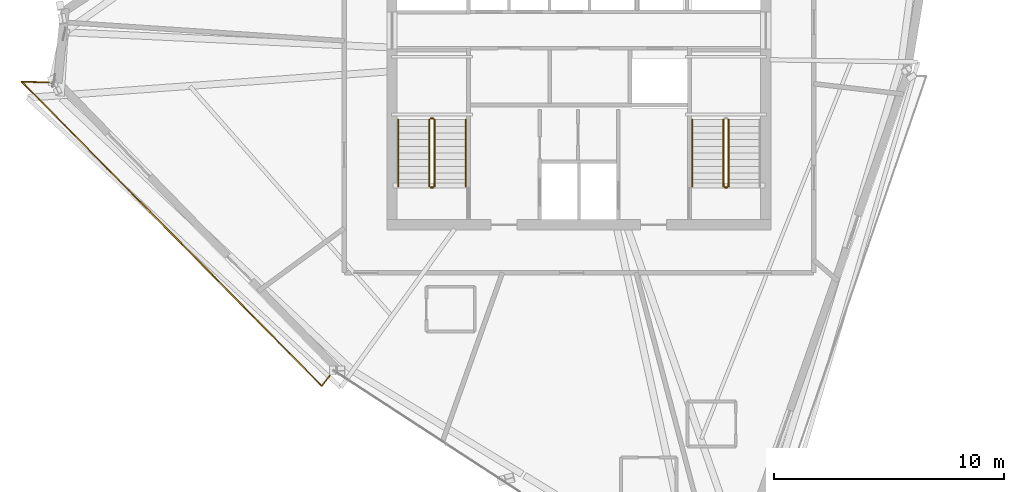
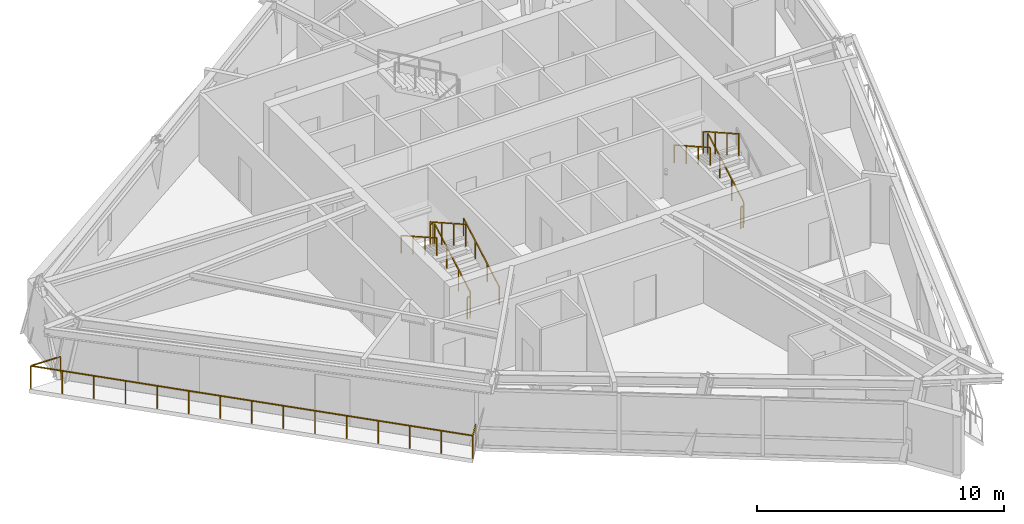
# One storey, part 12 of 14: 11 railings.
"""IFC4 building model written with IfcOpenShell, lengths in metres."""

from ifc_helpers import new_model, si_unit, direction, frame, origin, origin_2d, place, context, subcontext, project, spatial, rectangle, extrude, material, type_object, element, save


model = new_model("IFC4")

# Units and contexts
model_context = context("Model", 3, precision=1e-05, world=origin(), true_north=direction((0.0, 1.0)))
body_context = subcontext(model_context, "Body", "Model", "MODEL_VIEW")
ifc_project = project(units=[si_unit("LENGTHUNIT", "METRE"), si_unit("AREAUNIT", "SQUARE_METRE"), si_unit("VOLUMEUNIT", "CUBIC_METRE"), si_unit("PLANEANGLEUNIT", "RADIAN"), si_unit("MASSUNIT", "GRAM", prefix="KILO")], contexts=[model_context])

# Site, building, storey
site_placement = place(None, origin())
site = spatial("IfcSite", under=ifc_project, at=site_placement, CompositionType="ELEMENT")
building_placement = place(site_placement, origin())
building = spatial("IfcBuilding", under=site, at=building_placement, Name="Olszyna Solenne Hotel", CompositionType="ELEMENT")
storey_placement = place(building_placement, frame((0.0, 0.0, 252.5)))
storey = spatial("IfcBuildingStorey", under=building, at=storey_placement, Name="L67", CompositionType="ELEMENT", Elevation=252.5)

# Railings
ifc_material_1 = material(Name="Anodised bronze aluminium", Category="aluminium")
railing_type_1 = type_object("IfcRailingType", Name="GR-110", PredefinedType="BALUSTRADE", material=ifc_material_1)
railing_1_placement = place(storey_placement, frame((15.15380859375, 25.46240234375, 0.0)))
element("IfcRailing", 1, at=railing_1_placement, inside=storey, type_object=railing_type_1, Name="Loggia balcony balustrade guard GR-L67-LG2", PredefinedType="BALUSTRADE", context=body_context, shape_type="SweptSolid", body=[
    extrude(rectangle(XDim=0.048095703125, YDim=0.048095703125, at=origin_2d()), frame((0.0, 0.0, 1.1259765625), z_axis=(-0.999593817214, 0.028499133092, 0.0), x_axis=(-0.028499133092, -0.999593817214, 0.0)), (0.0, 0.0, 1.0), 1.379150390625),
    extrude(rectangle(XDim=0.048095703125, YDim=0.048095703125, at=origin_2d()), frame((-1.378662109375, 0.039306640625, 1.1259765625), z_axis=(0.702189124274, -0.711990473076, 0.0), x_axis=(0.711990473076, 0.702189124274, 0.0)), (0.0, 0.0, 1.0), 18.58203125),
    extrude(rectangle(XDim=0.048095703125, YDim=0.048095703125, at=origin_2d()), frame((11.66943359375, -13.19091796875, 1.1259765625), z_axis=(0.612440929473, 0.790516355243, 0.0), x_axis=(-0.790516355243, 0.612440929473, 0.0)), (0.0, 0.0, 1.0), 0.845947265625),
    extrude(rectangle(XDim=0.0419921875, YDim=0.0419921875, at=origin_2d()), origin(), (0.0, 0.0, 1.0), 1.101806640625),
    extrude(rectangle(XDim=0.0419921875, YDim=0.0419921875, at=origin_2d()), frame((-1.378662109375, 0.039306640625, 0.0)), (0.0, 0.0, 1.0), 1.101806640625),
    extrude(rectangle(XDim=0.0419921875, YDim=0.0419921875, at=origin_2d()), frame((-0.44677734375, -0.90576171875, 0.0)), (0.0, 0.0, 1.0), 1.101806640625),
    extrude(rectangle(XDim=0.0419921875, YDim=0.0419921875, at=origin_2d()), frame((0.4853515625, -1.850830078125, 0.0)), (0.0, 0.0, 1.0), 1.101806640625),
    extrude(rectangle(XDim=0.0419921875, YDim=0.0419921875, at=origin_2d()), frame((1.41748046875, -2.795654296875, 0.0)), (0.0, 0.0, 1.0), 1.101806640625),
    extrude(rectangle(XDim=0.0419921875, YDim=0.0419921875, at=origin_2d()), frame((2.349365234375, -3.74072265625, 0.0)), (0.0, 0.0, 1.0), 1.101806640625),
    extrude(rectangle(XDim=0.0419921875, YDim=0.0419921875, at=origin_2d()), frame((3.28125, -4.685791015625, 0.0)), (0.0, 0.0, 1.0), 1.101806640625),
    extrude(rectangle(XDim=0.0419921875, YDim=0.0419921875, at=origin_2d()), frame((4.21337890625, -5.630859375, 0.0)), (0.0, 0.0, 1.0), 1.101806640625),
    extrude(rectangle(XDim=0.0419921875, YDim=0.0419921875, at=origin_2d()), frame((5.1455078125, -6.57568359375, 0.0)), (0.0, 0.0, 1.0), 1.101806640625),
    extrude(rectangle(XDim=0.0419921875, YDim=0.0419921875, at=origin_2d()), frame((6.077392578125, -7.520751953125, 0.0)), (0.0, 0.0, 1.0), 1.101806640625),
    extrude(rectangle(XDim=0.0419921875, YDim=0.0419921875, at=origin_2d()), frame((7.00927734375, -8.4658203125, 0.0)), (0.0, 0.0, 1.0), 1.101806640625),
    extrude(rectangle(XDim=0.0419921875, YDim=0.0419921875, at=origin_2d()), frame((7.94140625, -9.410888671875, 0.0)), (0.0, 0.0, 1.0), 1.101806640625),
    extrude(rectangle(XDim=0.0419921875, YDim=0.0419921875, at=origin_2d()), frame((8.87353515625, -10.35595703125, 0.0)), (0.0, 0.0, 1.0), 1.101806640625),
    extrude(rectangle(XDim=0.0419921875, YDim=0.0419921875, at=origin_2d()), frame((9.805419921875, -11.30078125, 0.0)), (0.0, 0.0, 1.0), 1.101806640625),
    extrude(rectangle(XDim=0.0419921875, YDim=0.0419921875, at=origin_2d()), frame((10.7373046875, -12.245849609375, 0.0)), (0.0, 0.0, 1.0), 1.101806640625),
    extrude(rectangle(XDim=0.0419921875, YDim=0.0419921875, at=origin_2d()), frame((11.66943359375, -13.19091796875, 0.0)), (0.0, 0.0, 1.0), 1.101806640625),
    extrude(rectangle(XDim=0.0419921875, YDim=0.0419921875, at=origin_2d()), frame((12.1875, -12.522216796875, 0.0)), (0.0, 0.0, 1.0), 1.101806640625),
])
railing_2_placement = place(storey_placement, frame((31.719970703125, 20.949951171875, 0.16357421875)))
element("IfcRailing", 2, at=railing_2_placement, inside=storey, type_object=railing_type_1, Name="L67 ST1 stair guard 1", PredefinedType="BALUSTRADE", context=body_context, shape_type="SweptSolid", body=[
    extrude(rectangle(XDim=0.048095703125, YDim=0.048095703125, at=origin_2d()), frame((0.0, 0.0, 1.076171875), z_axis=(0.0, 0.870914908162, 0.491433843708), x_axis=(-1.0, 0.0, 0.0)), (0.0, 0.0, 1.0), 3.330078125),
    extrude(rectangle(XDim=0.0419921875, YDim=0.0419921875, at=origin_2d()), origin(), (0.0, 0.0, 1.0), 1.052001953125),
    extrude(rectangle(XDim=0.0419921875, YDim=0.0419921875, at=origin_2d()), frame((0.0, 0.966796875, 0.54541015625)), (0.0, 0.0, 1.0), 1.052001953125),
    extrude(rectangle(XDim=0.0419921875, YDim=0.0419921875, at=origin_2d()), frame((0.0, 1.933349609375, 1.091064453125)), (0.0, 0.0, 1.0), 1.052001953125),
    extrude(rectangle(XDim=0.0419921875, YDim=0.0419921875, at=origin_2d()), frame((0.0, 2.900146484375, 1.636474609375)), (0.0, 0.0, 1.0), 1.052001953125),
])
railing_3_placement = place(storey_placement, frame((31.669921875, 23.89990234375, 1.800048828125)))
element("IfcRailing", 3, at=railing_3_placement, inside=storey, type_object=railing_type_1, Name="L67 ST1 stair guard 2", PredefinedType="BALUSTRADE", context=body_context, shape_type="SweptSolid", body=[
    extrude(rectangle(XDim=0.048095703125, YDim=0.048095703125, at=origin_2d()), frame((0.0, 0.0, 1.076171875), z_axis=(-1.0, 0.0, 0.0), x_axis=(0.0, -1.0, 0.0)), (0.0, 0.0, 1.0), 0.119873046875),
    extrude(rectangle(XDim=0.0419921875, YDim=0.0419921875, at=origin_2d()), origin(), (0.0, 0.0, 1.0), 1.052001953125),
    extrude(rectangle(XDim=0.0419921875, YDim=0.0419921875, at=origin_2d()), frame((-0.119873046875, 0.0, 0.0)), (0.0, 0.0, 1.0), 1.052001953125),
])
railing_4_placement = place(storey_placement, frame((31.5, 23.85009765625, 1.963623046875)))
element("IfcRailing", 4, at=railing_4_placement, inside=storey, type_object=railing_type_1, Name="L67 ST1 stair guard 3", PredefinedType="BALUSTRADE", context=body_context, shape_type="SweptSolid", body=[
    extrude(rectangle(XDim=0.048095703125, YDim=0.048095703125, at=origin_2d()), frame((0.0, 0.0, 1.076171875), z_axis=(0.0, -0.870914908162, 0.491433843708), x_axis=(1.0, 0.0, 0.0)), (0.0, 0.0, 1.0), 3.330078125),
    extrude(rectangle(XDim=0.0419921875, YDim=0.0419921875, at=origin_2d()), origin(), (0.0, 0.0, 1.0), 1.052001953125),
    extrude(rectangle(XDim=0.0419921875, YDim=0.0419921875, at=origin_2d()), frame((0.0, -0.966796875, 0.54541015625)), (0.0, 0.0, 1.0), 1.052001953125),
    extrude(rectangle(XDim=0.0419921875, YDim=0.0419921875, at=origin_2d()), frame((0.0, -1.933349609375, 1.091064453125)), (0.0, 0.0, 1.0), 1.052001953125),
    extrude(rectangle(XDim=0.0419921875, YDim=0.0419921875, at=origin_2d()), frame((0.0, -2.900146484375, 1.636474609375)), (0.0, 0.0, 1.0), 1.052001953125),
])
railing_5_placement = place(storey_placement, frame((31.669921875, 20.89990234375, 0.0)))
element("IfcRailing", 5, at=railing_5_placement, inside=storey, type_object=railing_type_1, Name="L67 ST1 stair guard 4", PredefinedType="BALUSTRADE", context=body_context, shape_type="SweptSolid", body=[
    extrude(rectangle(XDim=0.048095703125, YDim=0.048095703125, at=origin_2d()), frame((0.0, 0.0, 1.076171875), z_axis=(-1.0, 0.0, 0.0), x_axis=(0.0, -1.0, 0.0)), (0.0, 0.0, 1.0), 0.119873046875),
    extrude(rectangle(XDim=0.0419921875, YDim=0.0419921875, at=origin_2d()), origin(), (0.0, 0.0, 1.0), 1.052001953125),
    extrude(rectangle(XDim=0.0419921875, YDim=0.0419921875, at=origin_2d()), frame((-0.119873046875, 0.0, 0.0)), (0.0, 0.0, 1.0), 1.052001953125),
])
railing_6_placement = place(storey_placement, frame((44.5, 20.949951171875, 0.16357421875)))
element("IfcRailing", 6, at=railing_6_placement, inside=storey, type_object=railing_type_1, Name="L67 ST2 stair guard 1", PredefinedType="BALUSTRADE", context=body_context, shape_type="SweptSolid", body=[
    extrude(rectangle(XDim=0.048095703125, YDim=0.048095703125, at=origin_2d()), frame((0.0, 0.0, 1.076171875), z_axis=(0.0, 0.870914908162, 0.491433843708), x_axis=(-1.0, 0.0, 0.0)), (0.0, 0.0, 1.0), 3.330078125),
    extrude(rectangle(XDim=0.0419921875, YDim=0.0419921875, at=origin_2d()), origin(), (0.0, 0.0, 1.0), 1.052001953125),
    extrude(rectangle(XDim=0.0419921875, YDim=0.0419921875, at=origin_2d()), frame((0.0, 0.966796875, 0.54541015625)), (0.0, 0.0, 1.0), 1.052001953125),
    extrude(rectangle(XDim=0.0419921875, YDim=0.0419921875, at=origin_2d()), frame((0.0, 1.933349609375, 1.091064453125)), (0.0, 0.0, 1.0), 1.052001953125),
    extrude(rectangle(XDim=0.0419921875, YDim=0.0419921875, at=origin_2d()), frame((0.0, 2.900146484375, 1.636474609375)), (0.0, 0.0, 1.0), 1.052001953125),
])
railing_7_placement = place(storey_placement, frame((44.280029296875, 23.85009765625, 1.963623046875)))
element("IfcRailing", 7, at=railing_7_placement, inside=storey, type_object=railing_type_1, Name="L67 ST2 stair guard 3", PredefinedType="BALUSTRADE", context=body_context, shape_type="SweptSolid", body=[
    extrude(rectangle(XDim=0.048095703125, YDim=0.048095703125, at=origin_2d()), frame((0.0, 0.0, 1.076171875), z_axis=(0.0, -0.870914908162, 0.491433843708), x_axis=(1.0, 0.0, 0.0)), (0.0, 0.0, 1.0), 3.330078125),
    extrude(rectangle(XDim=0.0419921875, YDim=0.0419921875, at=origin_2d()), origin(), (0.0, 0.0, 1.0), 1.052001953125),
    extrude(rectangle(XDim=0.0419921875, YDim=0.0419921875, at=origin_2d()), frame((0.0, -0.966796875, 0.54541015625)), (0.0, 0.0, 1.0), 1.052001953125),
    extrude(rectangle(XDim=0.0419921875, YDim=0.0419921875, at=origin_2d()), frame((0.0, -1.933349609375, 1.091064453125)), (0.0, 0.0, 1.0), 1.052001953125),
    extrude(rectangle(XDim=0.0419921875, YDim=0.0419921875, at=origin_2d()), frame((0.0, -2.900146484375, 1.636474609375)), (0.0, 0.0, 1.0), 1.052001953125),
])
railing_8_placement = place(storey_placement, frame((44.449951171875, 20.89990234375, 0.0)))
element("IfcRailing", 8, at=railing_8_placement, inside=storey, type_object=railing_type_1, Name="L67 ST2 stair guard 4", PredefinedType="BALUSTRADE", context=body_context, shape_type="SweptSolid", body=[
    extrude(rectangle(XDim=0.048095703125, YDim=0.048095703125, at=origin_2d()), frame((0.0, 0.0, 1.076171875), z_axis=(-1.0, 0.0, 0.0), x_axis=(0.0, -1.0, 0.0)), (0.0, 0.0, 1.0), 0.119873046875),
    extrude(rectangle(XDim=0.0419921875, YDim=0.0419921875, at=origin_2d()), origin(), (0.0, 0.0, 1.0), 1.052001953125),
    extrude(rectangle(XDim=0.0419921875, YDim=0.0419921875, at=origin_2d()), frame((-0.119873046875, 0.0, 0.0)), (0.0, 0.0, 1.0), 1.052001953125),
])
ifc_material_2 = material(Name="Steel S355J2", Category="steel")
railing_type_2 = type_object("IfcRailingType", Name="HR-090", PredefinedType="HANDRAIL", material=ifc_material_2)
railing_9_placement = place(storey_placement, frame((33.070068359375, 20.949951171875, 0.16357421875)))
element("IfcRailing", 9, at=railing_9_placement, inside=storey, type_object=railing_type_2, Name="L67 ST1 stair handrail 1", PredefinedType="HANDRAIL", context=body_context, shape_type="SweptSolid", body=[
    extrude(rectangle(XDim=0.048095703125, YDim=0.048095703125, at=origin_2d()), frame((0.0, 0.0, 0.8759765625), z_axis=(0.0, 0.870914908162, 0.491433843708), x_axis=(-1.0, 0.0, 0.0)), (0.0, 0.0, 1.0), 3.330078125),
    extrude(rectangle(XDim=0.0419921875, YDim=0.0419921875, at=origin_2d()), origin(), (0.0, 0.0, 1.0), 0.851806640625),
    extrude(rectangle(XDim=0.0419921875, YDim=0.0419921875, at=origin_2d()), frame((0.0, 0.966796875, 0.54541015625)), (0.0, 0.0, 1.0), 0.851806640625),
    extrude(rectangle(XDim=0.0419921875, YDim=0.0419921875, at=origin_2d()), frame((0.0, 1.933349609375, 1.091064453125)), (0.0, 0.0, 1.0), 0.851806640625),
    extrude(rectangle(XDim=0.0419921875, YDim=0.0419921875, at=origin_2d()), frame((0.0, 2.900146484375, 1.636474609375)), (0.0, 0.0, 1.0), 0.851806640625),
])
for number, where, name in (
    (10, (30.14990234375, 23.85009765625, 1.963623046875), "L67 ST1 stair handrail 2"),
    (11, (42.929931640625, 23.85009765625, 1.963623046875), "L67 ST2 stair handrail 2"),
):
    element("IfcRailing", number, at=place(storey_placement, frame(where)), inside=storey, type_object=railing_type_2, Name=name, PredefinedType="HANDRAIL", context=body_context, shape_type="SweptSolid", body=[
        extrude(rectangle(XDim=0.048095703125, YDim=0.048095703125, at=origin_2d()), frame((0.0, 0.0, 0.8759765625), z_axis=(0.0, -0.870914908162, 0.491433843708), x_axis=(1.0, 0.0, 0.0)), (0.0, 0.0, 1.0), 3.330078125),
        extrude(rectangle(XDim=0.0419921875, YDim=0.0419921875, at=origin_2d()), origin(), (0.0, 0.0, 1.0), 0.851806640625),
        extrude(rectangle(XDim=0.0419921875, YDim=0.0419921875, at=origin_2d()), frame((0.0, -0.966796875, 0.54541015625)), (0.0, 0.0, 1.0), 0.851806640625),
        extrude(rectangle(XDim=0.0419921875, YDim=0.0419921875, at=origin_2d()), frame((0.0, -1.933349609375, 1.091064453125)), (0.0, 0.0, 1.0), 0.851806640625),
        extrude(rectangle(XDim=0.0419921875, YDim=0.0419921875, at=origin_2d()), frame((0.0, -2.900146484375, 1.636474609375)), (0.0, 0.0, 1.0), 0.851806640625),
    ])

save(model, "model.ifc")
